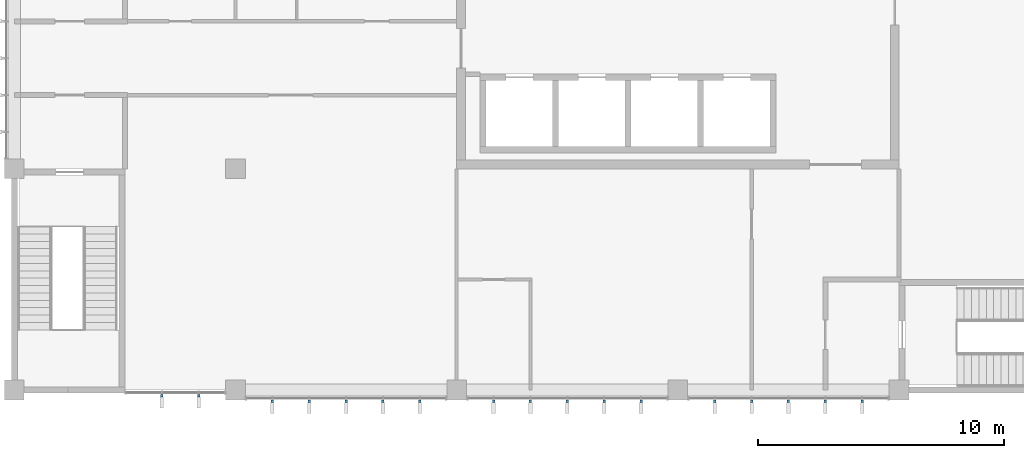
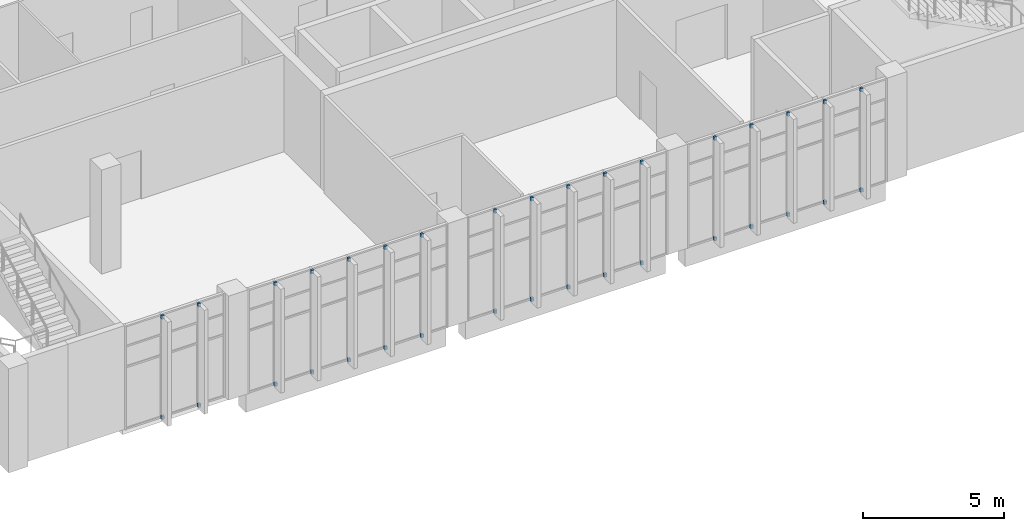
# One storey, part 41 of 43: 34 discrete accessories.
"""IFC4 building model written with IfcOpenShell, lengths in metres."""

from ifc_helpers import new_model, si_unit, direction, frame, origin, origin_2d, place, context, subcontext, project, spatial, rectangle, extrude, material, type_object, element, save


model = new_model("IFC4")

# Units and contexts
model_context = context("Model", 3, precision=1e-05, world=origin(), true_north=direction((0.0, 1.0)))
body_context = subcontext(model_context, "Body", "Model", "MODEL_VIEW")
ifc_project = project(units=[si_unit("LENGTHUNIT", "METRE"), si_unit("AREAUNIT", "SQUARE_METRE"), si_unit("VOLUMEUNIT", "CUBIC_METRE"), si_unit("PLANEANGLEUNIT", "RADIAN"), si_unit("MASSUNIT", "GRAM", prefix="KILO")], contexts=[model_context])

# Site, building, storey
site_placement = place(None, origin())
site = spatial("IfcSite", under=ifc_project, at=site_placement, CompositionType="ELEMENT")
building_placement = place(site_placement, origin())
building = spatial("IfcBuilding", under=site, at=building_placement, Name="Guidao Yard Department Store", CompositionType="ELEMENT")
storey_placement = place(building_placement, frame((0.0, 0.0, 28.5)))
storey = spatial("IfcBuildingStorey", under=building, at=storey_placement, Name="L06", CompositionType="ELEMENT", Elevation=28.5)

# Discrete accessories
ifc_material = material(Name="Steel Q355B", Category="steel")
discrete_accessory_type = type_object("IfcDiscreteAccessoryType", Name="Fin bracket BR3 steel plate", PredefinedType="BRACKET", material=ifc_material)
for number, where, z_axis, x_axis, name in (
    (1, (132.0, -0.22998046875, 0.0), (0.0, 0.0, 1.0), (-1.0, 0.0, 0.0), "Fin bracket"),
    (2, (132.0, -0.22998046875, 4.35009765625), (0.0, 0.0, 1.0), (-1.0, 0.0, 0.0), "Fin bracket"),
    (3, (133.5, -0.22998046875, 0.0), (0.0, 0.0, 1.0), (-1.0, 0.0, 0.0), "Fin bracket"),
    (4, (133.5, -0.22998046875, 4.35009765625), (0.0, 0.0, 1.0), (-1.0, 0.0, 0.0), "Fin bracket"),
    (5, (136.5, -0.4599609375, 0.0), (0.0, 0.0, 1.0), (-1.0, 0.0, 0.0), "Fin bracket"),
    (6, (136.5, -0.4599609375, 4.35009765625), (0.0, 0.0, 1.0), (-1.0, 0.0, 0.0), "Fin bracket"),
    (7, (138.0, -0.4599609375, 0.0), (0.0, 0.0, 1.0), (-1.0, 0.0, 0.0), "Fin bracket"),
    (8, (138.0, -0.4599609375, 4.35009765625), (0.0, 0.0, 1.0), (-1.0, 0.0, 0.0), "Fin bracket"),
    (9, (139.5, -0.4599609375, 0.0), (0.0, 0.0, 1.0), (-1.0, 0.0, 0.0), "Fin bracket"),
    (10, (139.5, -0.4599609375, 4.35009765625), (0.0, 0.0, 1.0), (-1.0, 0.0, 0.0), "Fin bracket"),
    (11, (141.0, -0.4599609375, 0.0), (0.0, 0.0, 1.0), (-1.0, 0.0, 0.0), "Fin bracket"),
    (12, (141.0, -0.4599609375, 4.35009765625), (0.0, 0.0, 1.0), (-1.0, 0.0, 0.0), "Fin bracket"),
    (13, (142.5, -0.4599609375, 0.0), (0.0, 0.0, 1.0), (-1.0, 0.0, 0.0), "Fin bracket"),
    (14, (142.5, -0.4599609375, 4.35009765625), (0.0, 0.0, 1.0), (-1.0, 0.0, 0.0), "Fin bracket"),
    (15, (145.5, -0.4599609375, 0.0), (0.0, 0.0, 1.0), (-1.0, 0.0, 0.0), "Fin bracket"),
    (16, (145.5, -0.4599609375, 4.35009765625), (0.0, 0.0, 1.0), (-1.0, 0.0, 0.0), "Fin bracket"),
    (17, (147.0, -0.4599609375, 0.0), (0.0, 0.0, 1.0), (-1.0, 0.0, 0.0), "Fin bracket"),
    (18, (147.0, -0.4599609375, 4.35009765625), (0.0, 0.0, 1.0), (-1.0, 0.0, 0.0), "Fin bracket"),
    (19, (148.5, -0.4599609375, 0.0), (0.0, 0.0, 1.0), (-1.0, 0.0, 0.0), "Fin bracket"),
    (20, (148.5, -0.4599609375, 4.35009765625), (0.0, 0.0, 1.0), (-1.0, 0.0, 0.0), "Fin bracket"),
    (21, (150.0, -0.4599609375, 0.0), (0.0, 0.0, 1.0), (-1.0, 0.0, 0.0), "Fin bracket"),
    (22, (150.0, -0.4599609375, 4.35009765625), (0.0, 0.0, 1.0), (-1.0, 0.0, 0.0), "Fin bracket"),
    (23, (151.5, -0.4599609375, 0.0), (0.0, 0.0, 1.0), (-1.0, 0.0, 0.0), "Fin bracket"),
    (24, (151.5, -0.4599609375, 4.35009765625), (0.0, 0.0, 1.0), (-1.0, 0.0, 0.0), "Fin bracket"),
    (25, (154.5, -0.4599609375, 0.0), (0.0, 0.0, 1.0), (-1.0, 0.0, 0.0), "Fin bracket"),
    (26, (154.5, -0.4599609375, 4.35009765625), (0.0, 0.0, 1.0), (-1.0, 0.0, 0.0), "Fin bracket"),
    (27, (156.0, -0.4599609375, 0.0), (0.0, 0.0, 1.0), (-1.0, 0.0, 0.0), "Fin bracket"),
    (28, (156.0, -0.4599609375, 4.35009765625), (0.0, 0.0, 1.0), (-1.0, 0.0, 0.0), "Fin bracket"),
    (29, (157.5, -0.4599609375, 0.0), (0.0, 0.0, 1.0), (-1.0, 0.0, 0.0), "Fin bracket"),
    (30, (157.5, -0.4599609375, 4.35009765625), (0.0, 0.0, 1.0), (-1.0, 0.0, 0.0), "Fin bracket"),
    (31, (159.0, -0.4599609375, 0.0), (0.0, 0.0, 1.0), (-1.0, 0.0, 0.0), "Fin bracket"),
    (32, (159.0, -0.4599609375, 4.35009765625), (0.0, 0.0, 1.0), (-1.0, 0.0, 0.0), "Fin bracket"),
    (33, (160.5, -0.4599609375, 0.0), (0.0, 0.0, 1.0), (-1.0, 0.0, 0.0), "Fin bracket"),
    (34, (160.5, -0.4599609375, 4.35009765625), (0.0, 0.0, 1.0), (-1.0, 0.0, 0.0), "Fin bracket"),
):
    element("IfcDiscreteAccessory", number, at=place(storey_placement, frame(where, z_axis=z_axis, x_axis=x_axis)), inside=storey, type_object=discrete_accessory_type, Name=name, PredefinedType="BRACKET", context=body_context, shape_type="SweptSolid", body=[
        extrude(rectangle(XDim=0.10009765625, YDim=0.10009765625, at=origin_2d()), origin(), (0.0, 0.0, 1.0), 0.14990234375),
    ])

save(model, "model.ifc")
